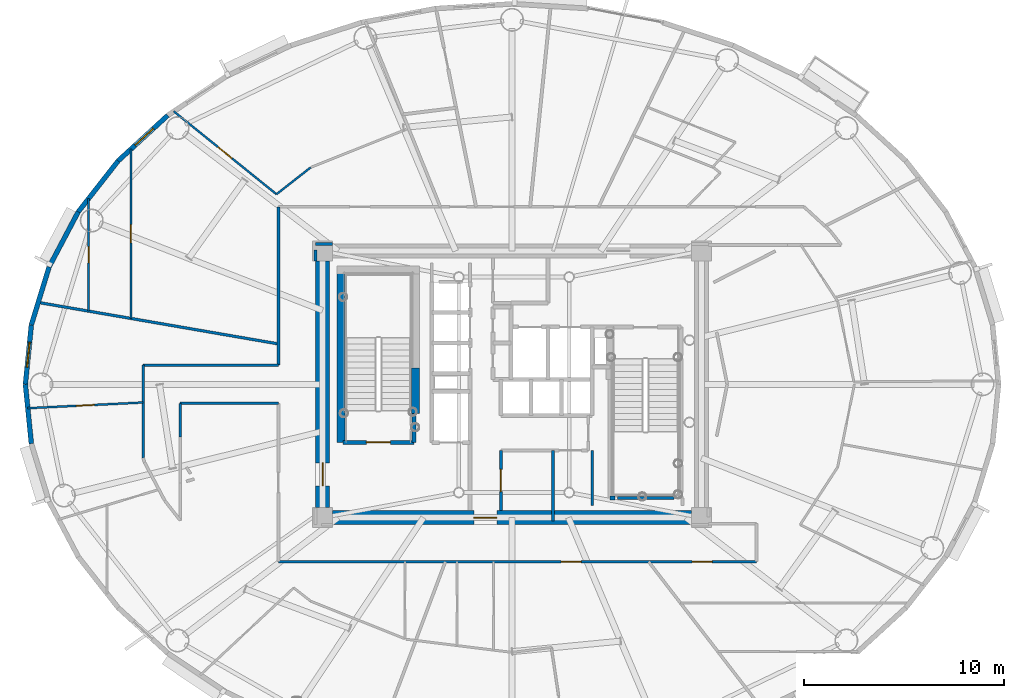
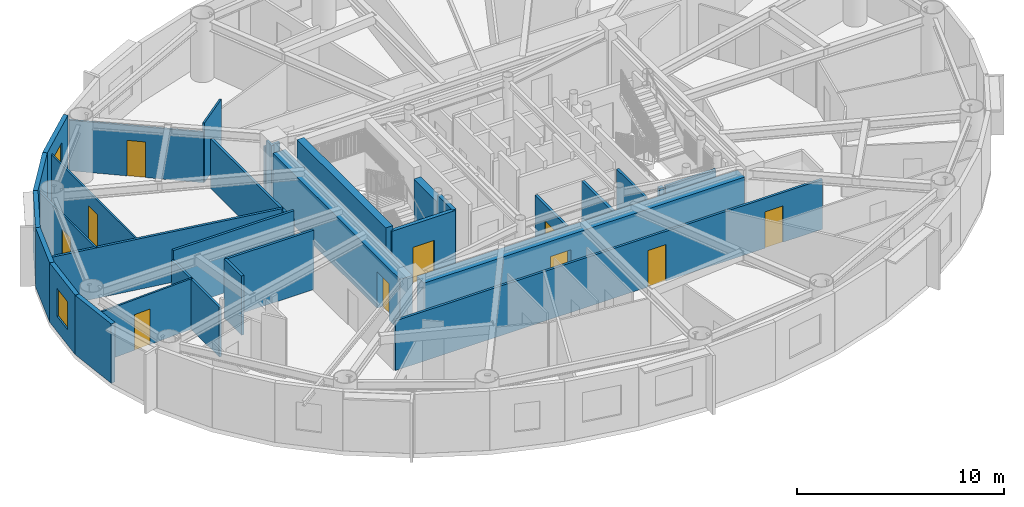
# One storey, part 10 of 21: 31 walls, 10 doors, 2 windows, 12 openings.
"""IFC4 building model written with IfcOpenShell, lengths in metres."""

from ifc_helpers import new_model, si_unit, direction, frame, frame_2d, origin, origin_2d, place, context, subcontext, project, spatial, rectangle, extrude, source, transform, mapped, material, layer, layer_set, type_object, element, fill, save


model = new_model("IFC4")

# Units and contexts
model_context = context("Model", 3, precision=1e-05, world=origin(), true_north=direction((0.0, 1.0)))
body_context = subcontext(model_context, "Body", "Model", "MODEL_VIEW")
ifc_project = project(units=[si_unit("LENGTHUNIT", "METRE"), si_unit("AREAUNIT", "SQUARE_METRE"), si_unit("VOLUMEUNIT", "CUBIC_METRE"), si_unit("PLANEANGLEUNIT", "RADIAN"), si_unit("MASSUNIT", "GRAM", prefix="KILO")], contexts=[model_context])

# Site, building, storey
site_placement = place(None, origin())
site = spatial("IfcSite", under=ifc_project, at=site_placement, CompositionType="ELEMENT")
building_placement = place(site_placement, origin())
building = spatial("IfcBuilding", under=site, at=building_placement, Name="Linh Dai School and Residence Tower", CompositionType="ELEMENT")
storey_placement = place(building_placement, frame((0.0, 0.0, 229.050048828125)))
storey = spatial("IfcBuildingStorey", under=building, at=storey_placement, Name="L56", CompositionType="ELEMENT", Elevation=229.050048828125)

# Wall, opening, window
ifc_material_1 = material(Name="Precast Concrete B45 (C35/45)", Category="concrete")
ifc_layer_1 = layer(ifc_material_1, 0.239990234375)
ifc_layer_set_1 = layer_set([ifc_layer_1], Name="Precast Concrete B45 (C35/45)")
wall_type_1 = type_object("IfcWallType", Name="EW-TC-240", PredefinedType="SOLIDWALL", material=ifc_layer_set_1)
wall_1_placement = place(storey_placement, frame((16.3515625, 38.14453125, 0.0), z_axis=(0.0, 0.0, 1.0), x_axis=(0.737123922599, 0.675757591694, 0.0)))
wall_1 = element("IfcWall", 1, at=wall_1_placement, inside=storey, type_object=wall_type_1, Name="L56 Terracotta Exterior Wall 16", PredefinedType="SOLIDWALL", context=body_context, shape_type="SweptSolid", body=[
    extrude(rectangle(XDim=3.353759765625, YDim=0.239990234375, at=frame_2d((1.6767578125, 0.0))), origin(), (0.0, 0.0, 1.0), 3.5),
])
opening_1_placement = place(wall_1_placement, frame((1.143798828125, 0.0, 0.89990234375)))
opening_1 = element("IfcOpeningElement", 2, at=opening_1_placement, cuts=wall_1, Name="Opening W3", PredefinedType="OPENING", context=body_context, shape_type="SweptSolid", body=[
    extrude(rectangle(XDim=1.25, YDim=1.64990234375, at=origin_2d()), frame((0.625, 0.1298828125, 0.824951171875), z_axis=(0.0, -1.0, 0.0), x_axis=(1.0, 0.0, 0.0)), (0.0, 0.0, 1.0), 0.260009765625),
])
ifc_material_2 = material(Name="Double Low-E Insulated Glazing", Category="glass")
window_type = type_object("IfcWindowType", Name="WN-RES-1250x1650", PartitioningType="SINGLE_PANEL", PredefinedType="WINDOW", material=ifc_material_2)
shared_shape_1 = source(origin(), body_context, "Body", "SweptSolid", [
    extrude(rectangle(XDim=1.25, YDim=1.64990234375, at=origin_2d()), frame((0.625, 0.030029296875, 0.824951171875), z_axis=(0.0, -1.0, 0.0), x_axis=(1.0, 0.0, 0.0)), (0.0, 0.0, 1.0), 0.06005859375),
])
window_1_placement = place(opening_1_placement, origin())
window_1 = element("IfcWindow", 3, at=window_1_placement, inside=storey, type_object=window_type, Name="L56 Dwelling Window U5601-LIV", OverallHeight=1.64990234375, OverallWidth=1.25, PartitioningType="SINGLE_PANEL", PredefinedType="WINDOW", context=body_context, shape_type="MappedRepresentation", body=[
    mapped(shared_shape_1, transform((0.0, 0.0, 0.0), x_axis=(1.0, 0.0, 0.0), y_axis=(0.0, 1.0, 0.0), z_axis=(0.0, 0.0, 1.0), scale=1.0)),
])
fill(opening_1, window_1)

# Walls
wall_2_placement = place(storey_placement, frame((14.3642578125, 35.605224609375, 0.0), z_axis=(0.0, 0.0, 1.0), x_axis=(0.616312344705, 0.787501805562, 0.0)))
element("IfcWall", 4, at=wall_2_placement, inside=storey, type_object=wall_type_1, Name="L56 Terracotta Exterior Wall 17", PredefinedType="SOLIDWALL", context=body_context, shape_type="SweptSolid", body=[
    extrude(rectangle(XDim=3.224609375, YDim=0.239990234375, at=frame_2d((1.6123046875, 0.0))), origin(), (0.0, 0.0, 1.0), 3.5),
])
wall_3_placement = place(storey_placement, frame((12.90966796875, 32.85595703125, 0.0), z_axis=(0.0, 0.0, 1.0), x_axis=(0.46766049993, 0.883908172157, 0.0)))
element("IfcWall", 5, at=wall_3_placement, inside=storey, type_object=wall_type_1, Name="L56 Terracotta Exterior Wall 18", PredefinedType="SOLIDWALL", context=body_context, shape_type="SweptSolid", body=[
    extrude(rectangle(XDim=3.1103515625, YDim=0.239990234375, at=frame_2d((1.55517578125, 0.0))), origin(), (0.0, 0.0, 1.0), 3.5),
])
wall_4_placement = place(storey_placement, frame((12.02294921875, 29.9638671875, 0.0), z_axis=(0.0, 0.0, 1.0), x_axis=(0.293132907334, 0.95607170162, 0.0)))
element("IfcWall", 6, at=wall_4_placement, inside=storey, type_object=wall_type_1, Name="L56 Terracotta Exterior Wall 19", PredefinedType="SOLIDWALL", context=body_context, shape_type="SweptSolid", body=[
    extrude(rectangle(XDim=3.02490234375, YDim=0.239990234375, at=frame_2d((1.512451171875, 0.0))), origin(), (0.0, 0.0, 1.0), 3.5),
])

# Wall, opening, window
wall_5_placement = place(storey_placement, frame((11.72509765625, 27.0, 0.0), z_axis=(0.0, 0.0, 1.0), x_axis=(0.099990595253, 0.994988382274, 0.0)))
wall_5 = element("IfcWall", 7, at=wall_5_placement, inside=storey, type_object=wall_type_1, Name="L56 Terracotta Exterior Wall 20", PredefinedType="SOLIDWALL", context=body_context, shape_type="SweptSolid", body=[
    extrude(rectangle(XDim=2.978759765625, YDim=0.239990234375, at=frame_2d((1.4892578125, 0.0))), origin(), (0.0, 0.0, 1.0), 3.5),
])
opening_2_placement = place(wall_5_placement, frame((0.864501953125, 0.0, 0.89990234375)))
opening_2 = element("IfcOpeningElement", 8, at=opening_2_placement, cuts=wall_5, Name="Opening W3", PredefinedType="OPENING", context=body_context, shape_type="SweptSolid", body=[
    extrude(rectangle(XDim=1.25, YDim=1.64990234375, at=origin_2d()), frame((0.625, 0.1298828125, 0.824951171875), z_axis=(0.0, -1.0, 0.0), x_axis=(1.0, 0.0, 0.0)), (0.0, 0.0, 1.0), 0.260009765625),
])
window_2_placement = place(opening_2_placement, origin())
window_2 = element("IfcWindow", 9, at=window_2_placement, inside=storey, type_object=window_type, Name="L56 Dwelling Window U5602-BD1", OverallHeight=1.64990234375, OverallWidth=1.25, PartitioningType="SINGLE_PANEL", PredefinedType="WINDOW", context=body_context, shape_type="MappedRepresentation", body=[
    mapped(shared_shape_1, transform((0.0, 0.0, 0.0), x_axis=(1.0, 0.0, 0.0), y_axis=(0.0, 1.0, 0.0), z_axis=(0.0, 0.0, 1.0), scale=1.0)),
])
fill(opening_2, window_2)

# Walls
wall_6_placement = place(storey_placement, frame((12.02294921875, 24.0361328125, 0.0), z_axis=(0.0, 0.0, 1.0), x_axis=(-0.099990595253, 0.994988382274, 0.0)))
element("IfcWall", 10, at=wall_6_placement, inside=storey, type_object=wall_type_1, Name="L56 Terracotta Exterior Wall 21", PredefinedType="SOLIDWALL", context=body_context, shape_type="SweptSolid", body=[
    extrude(rectangle(XDim=2.978759765625, YDim=0.239990234375, at=frame_2d((1.4892578125, 0.0))), origin(), (0.0, 0.0, 1.0), 3.5),
])
ifc_material_3 = material(Name="Autoclaved Aerated Concrete Blockwork", Category="masonry")
ifc_layer_2 = layer(ifc_material_3, 0.135009765625)
ifc_layer_set_2 = layer_set([ifc_layer_2], Name="Autoclaved Aerated Concrete Blockwork")
wall_type_2 = type_object("IfcWallType", Name="IW-CORR-135-EI90", PredefinedType="PARTITIONING", material=ifc_layer_set_2)
wall_7_placement = place(storey_placement, frame((12.361328125, 31.08447265625, 0.0), z_axis=(0.0, 0.0, 1.0), x_axis=(0.98539748391, -0.17026978212, 0.0)))
element("IfcWall", 11, at=wall_7_placement, inside=storey, type_object=wall_type_2, Name="L56 Interior Partition Wall 002", PredefinedType="PARTITIONING", context=body_context, shape_type="SweptSolid", body=[
    extrude(rectangle(XDim=12.166259765625, YDim=0.135009765625, at=frame_2d((6.0830078125, 0.0))), origin(), (0.0, 0.0, 1.0), 2.98486328125),
])
wall_8_placement = place(storey_placement, frame((17.60009765625, 23.327880859375, 0.0), z_axis=(0.0, 0.0, 1.0), x_axis=(0.0, 1.0, 0.0)))
element("IfcWall", 12, at=wall_8_placement, inside=storey, type_object=wall_type_2, Name="L56 Interior Partition Wall 007", PredefinedType="PARTITIONING", context=body_context, shape_type="SweptSolid", body=[
    extrude(rectangle(XDim=4.6220703125, YDim=0.135009765625, at=frame_2d((2.31103515625, 0.0))), origin(), (0.0, 0.0, 1.0), 2.93505859375),
])
wall_9_placement = place(storey_placement, frame((17.60009765625, 27.949951171875, 0.0), z_axis=(0.0, 0.0, 1.0), x_axis=(1.0, 0.0, 0.0)))
element("IfcWall", 13, at=wall_9_placement, inside=storey, type_object=wall_type_2, Name="L56 Interior Partition Wall 009", PredefinedType="PARTITIONING", context=body_context, shape_type="SweptSolid", body=[
    extrude(rectangle(XDim=6.75, YDim=0.135009765625, at=frame_2d((3.375, 0.0))), origin(), (0.0, 0.0, 1.0), 3.5),
])
wall_10_placement = place(storey_placement, frame((19.449951171875, 24.3798828125, 0.0), z_axis=(0.0, 0.0, 1.0), x_axis=(0.0, 1.0, 0.0)))
element("IfcWall", 14, at=wall_10_placement, inside=storey, type_object=wall_type_2, Name="L56 Interior Partition Wall 014", PredefinedType="PARTITIONING", context=body_context, shape_type="SweptSolid", body=[
    extrude(rectangle(XDim=1.670166015625, YDim=0.135009765625, at=frame_2d((0.8349609375, 0.0))), origin(), (0.0, 0.0, 1.0), 3.5),
])
wall_11_placement = place(storey_placement, frame((19.449951171875, 26.050048828125, 0.0), z_axis=(0.0, 0.0, 1.0), x_axis=(1.0, 0.0, 0.0)))
element("IfcWall", 15, at=wall_11_placement, inside=storey, type_object=wall_type_2, Name="L56 Interior Partition Wall 015", PredefinedType="PARTITIONING", context=body_context, shape_type="SweptSolid", body=[
    extrude(rectangle(XDim=4.900146484375, YDim=0.135009765625, at=frame_2d((2.4501953125, 0.0))), origin(), (0.0, 0.0, 1.0), 3.5),
])

# Wall, openings, doors
wall_12_placement = place(storey_placement, frame((24.35009765625, 18.14990234375, 0.0), z_axis=(0.0, 0.0, 1.0), x_axis=(1.0, 0.0, 0.0)))
wall_12 = element("IfcWall", 16, at=wall_12_placement, inside=storey, type_object=wall_type_2, Name="L56 Interior Partition Wall 019", PredefinedType="PARTITIONING", context=body_context, shape_type="SweptSolid", body=[
    extrude(rectangle(XDim=23.849853515625, YDim=0.135009765625, at=frame_2d((11.9248046875, 0.0))), origin(), (0.0, 0.0, 1.0), 2.93505859375),
])
opening_3_placement = place(wall_12_placement, frame((14.09912109375, 0.0, 0.0)))
opening_3 = element("IfcOpeningElement", 17, at=opening_3_placement, cuts=wall_12, Name="Opening D03", PredefinedType="OPENING", context=body_context, shape_type="SweptSolid", body=[
    extrude(rectangle(XDim=1.0, YDim=2.14990234375, at=origin_2d()), frame((0.5, 0.07763671875, 1.074951171875), z_axis=(0.0, -1.0, 0.0), x_axis=(1.0, 0.0, 0.0)), (0.0, 0.0, 1.0), 0.155029296875),
])
opening_4_placement = place(wall_12_placement, frame((20.638427734375, 0.0, 0.0)))
opening_4 = element("IfcOpeningElement", 18, at=opening_4_placement, cuts=wall_12, Name="Opening D03", PredefinedType="OPENING", context=body_context, shape_type="SweptSolid", body=[
    extrude(rectangle(XDim=1.0, YDim=2.14990234375, at=origin_2d()), frame((0.5, 0.07763671875, 1.074951171875), z_axis=(0.0, -1.0, 0.0), x_axis=(1.0, 0.0, 0.0)), (0.0, 0.0, 1.0), 0.155029296875),
])
ifc_material_4 = material(Name="Fire-Rated Solid Timber Entrance Door", Category="wood")
door_type_1 = type_object("IfcDoorType", Name="DR-FLAT-1000x2150-FD60S", OperationType="NOTDEFINED", PredefinedType="DOOR", material=ifc_material_4)
shared_shape_2 = source(origin(), body_context, "Body", "SweptSolid", [
    extrude(rectangle(XDim=1.0, YDim=2.14990234375, at=origin_2d()), frame((0.5, 0.02490234375, 1.074951171875), z_axis=(0.0, -1.0, 0.0), x_axis=(1.0, 0.0, 0.0)), (0.0, 0.0, 1.0), 0.050048828125),
])
door_1_placement = place(opening_3_placement, origin())
door_1 = element("IfcDoor", 19, at=door_1_placement, inside=storey, type_object=door_type_1, Name="L56 U5603 Apartment Entrance Door", OperationType="SINGLE_SWING_LEFT", OverallHeight=2.14990234375, OverallWidth=1.0, PredefinedType="DOOR", context=body_context, shape_type="MappedRepresentation", body=[
    mapped(shared_shape_2, transform((0.0, 0.0, 0.0), x_axis=(1.0, 0.0, 0.0), y_axis=(0.0, 1.0, 0.0), z_axis=(0.0, 0.0, 1.0), scale=1.0)),
])
fill(opening_3, door_1)
door_2_placement = place(opening_4_placement, origin())
door_2 = element("IfcDoor", 20, at=door_2_placement, inside=storey, type_object=door_type_1, Name="L56 U5604 Apartment Entrance Door", OperationType="SINGLE_SWING_LEFT", OverallHeight=2.14990234375, OverallWidth=1.0, PredefinedType="DOOR", context=body_context, shape_type="MappedRepresentation", body=[
    mapped(shared_shape_2, transform((0.0, 0.0, 0.0), x_axis=(1.0, 0.0, 0.0), y_axis=(0.0, 1.0, 0.0), z_axis=(0.0, 0.0, 1.0), scale=1.0)),
])
fill(opening_4, door_2)

# Wall
wall_13_placement = place(storey_placement, frame((24.35009765625, 27.949951171875, 0.0), z_axis=(0.0, 0.0, 1.0), x_axis=(0.0, 1.0, 0.0)))
element("IfcWall", 21, at=wall_13_placement, inside=storey, type_object=wall_type_2, Name="L56 Interior Partition Wall 020", PredefinedType="PARTITIONING", context=body_context, shape_type="SweptSolid", body=[
    extrude(rectangle(XDim=7.900146484375, YDim=0.135009765625, at=frame_2d((3.9501953125, 0.0))), origin(), (0.0, 0.0, 1.0), 2.93505859375),
])

# Wall, opening, door
wall_14_placement = place(storey_placement, frame((35.449951171875, 20.699951171875, 0.0), z_axis=(0.0, 0.0, 1.0), x_axis=(0.0, 1.0, 0.0)))
wall_14 = element("IfcWall", 22, at=wall_14_placement, inside=storey, type_object=wall_type_2, Name="L56 Interior Partition Wall 048", PredefinedType="PARTITIONING", context=body_context, shape_type="SweptSolid", body=[
    extrude(rectangle(XDim=3.0, YDim=0.135009765625, at=frame_2d((1.5, 0.0))), origin(), (0.0, 0.0, 1.0), 3.0849609375),
])
opening_5_placement = place(wall_14_placement, frame((0.949951171875, 0.0, 0.0)))
opening_5 = element("IfcOpeningElement", 23, at=opening_5_placement, cuts=wall_14, Name="Opening D07", PredefinedType="OPENING", context=body_context, shape_type="SweptSolid", body=[
    extrude(rectangle(XDim=1.10009765625, YDim=2.14990234375, at=origin_2d()), frame((0.550048828125, 0.07763671875, 1.074951171875), z_axis=(0.0, -1.0, 0.0), x_axis=(1.0, 0.0, 0.0)), (0.0, 0.0, 1.0), 0.155029296875),
])
ifc_material_5 = material(Name="Fire-Rated Louvred Steel Plant Door", Category="steel")
door_type_2 = type_object("IfcDoorType", Name="DR-PLT-1100x2150-FD60S", OperationType="NOTDEFINED", PredefinedType="DOOR", material=ifc_material_5)
shared_shape_3 = source(origin(), body_context, "Body", "SweptSolid", [
    extrude(rectangle(XDim=1.10009765625, YDim=2.14990234375, at=origin_2d()), frame((0.550048828125, 0.02490234375, 1.074951171875), z_axis=(0.0, -1.0, 0.0), x_axis=(1.0, 0.0, 0.0)), (0.0, 0.0, 1.0), 0.050048828125),
])
door_3_placement = place(opening_5_placement, origin())
door_3 = element("IfcDoor", 24, at=door_3_placement, inside=storey, type_object=door_type_2, Name="L56 Floor Electrical Switchroom Door", OperationType="SINGLE_SWING_LEFT", OverallHeight=2.14990234375, OverallWidth=1.10009765625, PredefinedType="DOOR", context=body_context, shape_type="MappedRepresentation", body=[
    mapped(shared_shape_3, transform((0.0, 0.0, 0.0), x_axis=(1.0, 0.0, 0.0), y_axis=(0.0, 1.0, 0.0), z_axis=(0.0, 0.0, 1.0), scale=1.0)),
])
fill(opening_5, door_3)

# Walls
wall_15_placement = place(storey_placement, frame((44.080078125, 21.330078125, 0.0), z_axis=(0.0, 0.0, 1.0), x_axis=(-1.0, 0.0, 0.0)))
element("IfcWall", 25, at=wall_15_placement, inside=storey, type_object=wall_type_2, Name="L56 Interior Partition Wall 093", PredefinedType="PARTITIONING", context=body_context, shape_type="SweptSolid", body=[
    extrude(rectangle(XDim=2.820068359375, YDim=0.135009765625, at=frame_2d((1.41015625, 0.0))), origin(), (0.0, 0.0, 1.0), 3.034912109375),
])
wall_16_placement = place(storey_placement, frame((40.0, 23.699951171875, 0.0), z_axis=(0.0, 0.0, 1.0), x_axis=(0.0, -1.0, 0.0)))
element("IfcWall", 26, at=wall_16_placement, inside=storey, type_object=wall_type_2, Name="L56 Interior Partition Wall 095", PredefinedType="PARTITIONING", context=body_context, shape_type="SweptSolid", body=[
    extrude(rectangle(XDim=2.739990234375, YDim=0.135009765625, at=frame_2d((1.3701171875, 0.0))), origin(), (0.0, 0.0, 1.0), 3.034912109375),
])
wall_17_placement = place(storey_placement, frame((27.0400390625, 34.0, 0.0), z_axis=(0.0, 0.0, 1.0), x_axis=(-1.0, 0.0, 0.0)))
element("IfcWall", 27, at=wall_17_placement, inside=storey, type_object=wall_type_2, Name="L56 Interior Partition Wall 102", PredefinedType="PARTITIONING", context=body_context, shape_type="SweptSolid", body=[
    extrude(rectangle(XDim=0.840087890625, YDim=0.135009765625, at=frame_2d((0.419921875, 0.0))), origin(), (0.0, 0.0, 1.0), 2.93505859375),
])
wall_18_placement = place(storey_placement, frame((26.199951171875, 33.6923828125, 0.0), z_axis=(0.0, 0.0, 1.0), x_axis=(0.0, -1.0, 0.0)))
element("IfcWall", 28, at=wall_18_placement, inside=storey, type_object=wall_type_2, Name="L56 Interior Partition Wall 103", PredefinedType="PARTITIONING", context=body_context, shape_type="SweptSolid", body=[
    extrude(rectangle(XDim=0.532470703125, YDim=0.135009765625, at=frame_2d((0.26611328125, 0.0))), origin(), (0.0, 0.0, 1.0), 3.5),
])
ifc_layer_3 = layer(ifc_material_3, 0.14990234375)
ifc_layer_set_3 = layer_set([ifc_layer_3], Name="Autoclaved Aerated Concrete Blockwork")
wall_type_3 = type_object("IfcWallType", Name="IW-SCH-150-EI60", PredefinedType="PARTITIONING", material=ifc_layer_set_3)
wall_19_placement = place(storey_placement, frame((38.050048828125, 20.179931640625, 0.0), z_axis=(0.0, 0.0, 1.0), x_axis=(0.0, 1.0, 0.0)))
element("IfcWall", 29, at=wall_19_placement, inside=storey, type_object=wall_type_3, Name="L56 Interior Partition Wall 061", PredefinedType="PARTITIONING", context=body_context, shape_type="SweptSolid", body=[
    extrude(rectangle(XDim=3.52001953125, YDim=0.14990234375, at=frame_2d((1.760009765625, 0.0))), origin(), (0.0, 0.0, 1.0), 3.034912109375),
])

# Wall, opening, door
ifc_material_6 = material(Name="Concrete B45 (C35/45)", Category="concrete")
ifc_layer_4 = layer(ifc_material_6, 0.199951171875)
ifc_layer_set_4 = layer_set([ifc_layer_4], Name="Concrete B45 (C35/45)")
wall_type_4 = type_object("IfcWallType", Name="IW-SHAFT-200-EI120", PredefinedType="PARTITIONING", material=ifc_layer_set_4)
wall_20_placement = place(storey_placement, frame((27.56005859375, 24.10009765625, 0.0), z_axis=(0.0, 0.0, 1.0), x_axis=(1.0, 0.0, 0.0)))
wall_20 = element("IfcWall", 30, at=wall_20_placement, inside=storey, type_object=wall_type_4, Name="L56 Interior Partition Wall 025", PredefinedType="PARTITIONING", context=body_context, shape_type="SweptSolid", body=[
    extrude(rectangle(XDim=3.5400390625, YDim=0.199951171875, at=frame_2d((1.77001953125, 0.0))), origin(), (0.0, 0.0, 1.0), 3.5),
])
opening_6_placement = place(wall_20_placement, frame((1.169921875, 0.0, 0.0)))
opening_6 = element("IfcOpeningElement", 31, at=opening_6_placement, cuts=wall_20, Name="Opening D01", PredefinedType="OPENING", context=body_context, shape_type="SweptSolid", body=[
    extrude(rectangle(XDim=1.199951171875, YDim=2.14990234375, at=origin_2d()), frame((0.60009765625, 0.10986328125, 1.074951171875), z_axis=(0.0, -1.0, 0.0), x_axis=(1.0, 0.0, 0.0)), (0.0, 0.0, 1.0), 0.219970703125),
])
ifc_material_7 = material(Name="Fire-Rated Steel Door Leaf", Category="steel")
door_type_3 = type_object("IfcDoorType", Name="DR-STAIR-1200x2150-FD90S", OperationType="NOTDEFINED", PredefinedType="DOOR", material=ifc_material_7)
shared_shape_4 = source(origin(), body_context, "Body", "SweptSolid", [
    extrude(rectangle(XDim=1.199951171875, YDim=2.14990234375, at=origin_2d()), frame((0.60009765625, 0.02490234375, 1.074951171875), z_axis=(0.0, -1.0, 0.0), x_axis=(1.0, 0.0, 0.0)), (0.0, 0.0, 1.0), 0.050048828125),
])
door_4_placement = place(opening_6_placement, origin())
door_4 = element("IfcDoor", 32, at=door_4_placement, inside=storey, type_object=door_type_3, Name="L56 Core Smokeproof Exit Stair ST1 Door", OperationType="SINGLE_SWING_LEFT", OverallHeight=2.14990234375, OverallWidth=1.199951171875, PredefinedType="DOOR", context=body_context, shape_type="MappedRepresentation", body=[
    mapped(shared_shape_4, transform((0.0, 0.0, 0.0), x_axis=(1.0, 0.0, 0.0), y_axis=(0.0, 1.0, 0.0), z_axis=(0.0, 0.0, 1.0), scale=1.0)),
])
fill(opening_6, door_4)

# Walls
wall_21_placement = place(storey_placement, frame((31.10009765625, 24.10009765625, 0.0), z_axis=(0.0, 0.0, 1.0), x_axis=(0.0, 1.0, 0.0)))
element("IfcWall", 33, at=wall_21_placement, inside=storey, type_object=wall_type_4, Name="L56 Interior Partition Wall 031", PredefinedType="PARTITIONING", context=body_context, shape_type="SweptSolid", body=[
    extrude(rectangle(XDim=1.43994140625, YDim=0.199951171875, at=frame_2d((0.719970703125, 0.0))), origin(), (0.0, 0.0, 1.0), 3.5),
])
wall_22_placement = place(storey_placement, frame((40.89990234375, 21.330078125, 0.0), z_axis=(0.0, 0.0, 1.0), x_axis=(1.0, 0.0, 0.0)))
element("IfcWall", 34, at=wall_22_placement, inside=storey, type_object=wall_type_4, Name="L56 Interior Partition Wall 068", PredefinedType="PARTITIONING", context=body_context, shape_type="SweptSolid", body=[
    extrude(rectangle(XDim=0.25, YDim=0.199951171875, at=frame_2d((0.125, 0.0))), origin(), (0.0, 0.0, 1.0), 3.034912109375),
])

# Wall, opening, door
ifc_material_8 = material(Name="Gypsum Plasterboard Acoustic Stud Partition", Category="masonry")
ifc_layer_5 = layer(ifc_material_8, 0.10009765625)
ifc_layer_set_5 = layer_set([ifc_layer_5], Name="Gypsum Plasterboard Acoustic Stud Partition")
wall_type_5 = type_object("IfcWallType", Name="IW-UNIT-100", PredefinedType="PARTITIONING", material=ifc_layer_set_5)
wall_23_placement = place(storey_placement, frame((11.83984375, 25.806640625, 0.0), z_axis=(0.0, 0.0, 1.0), x_axis=(0.99878109644, 0.049359106487, 0.0)))
wall_23 = element("IfcWall", 35, at=wall_23_placement, inside=storey, type_object=wall_type_5, Name="L56 Interior Partition Wall 001", PredefinedType="PARTITIONING", context=body_context, shape_type="SweptSolid", body=[
    extrude(rectangle(XDim=5.767333984375, YDim=0.10009765625, at=frame_2d((2.8837890625, 0.0))), origin(), (0.0, 0.0, 1.0), 2.98486328125),
])
opening_7_placement = place(wall_23_placement, frame((2.43359375, 0.0, 0.0)))
opening_7 = element("IfcOpeningElement", 36, at=opening_7_placement, cuts=wall_23, Name="Opening D05", PredefinedType="OPENING", context=body_context, shape_type="SweptSolid", body=[
    extrude(rectangle(XDim=0.89990234375, YDim=2.10009765625, at=origin_2d()), frame((0.449951171875, 0.06005859375, 1.050048828125), z_axis=(0.0, -1.0, 0.0), x_axis=(1.0, 0.0, 0.0)), (0.0, 0.0, 1.0), 0.1201171875),
])
ifc_material_9 = material(Name="Engineered Timber Internal Door", Category="wood")
door_type_4 = type_object("IfcDoorType", Name="DR-INT-900x2100", OperationType="NOTDEFINED", PredefinedType="DOOR", material=ifc_material_9)
shared_shape_5 = source(origin(), body_context, "Body", "SweptSolid", [
    extrude(rectangle(XDim=0.89990234375, YDim=2.10009765625, at=origin_2d()), frame((0.449951171875, 0.02490234375, 1.050048828125), z_axis=(0.0, -1.0, 0.0), x_axis=(1.0, 0.0, 0.0)), (0.0, 0.0, 1.0), 0.050048828125),
])
door_5_placement = place(opening_7_placement, origin())
door_5 = element("IfcDoor", 37, at=door_5_placement, inside=storey, type_object=door_type_4, Name="L56 Apartment U5602 Principal Bedroom 1 Door", OperationType="SINGLE_SWING_RIGHT", OverallHeight=2.10009765625, OverallWidth=0.89990234375, PredefinedType="DOOR", context=body_context, shape_type="MappedRepresentation", body=[
    mapped(shared_shape_5, transform((0.0, 0.0, 0.0), x_axis=(1.0, 0.0, 0.0), y_axis=(0.0, 1.0, 0.0), z_axis=(0.0, 0.0, 1.0), scale=1.0)),
])
fill(opening_7, door_5)

wall_24_placement = place(storey_placement, frame((14.882080078125, 30.64892578125, 0.0), z_axis=(0.0, 0.0, 1.0), x_axis=(0.0, 1.0, 0.0)))
wall_24 = element("IfcWall", 38, at=wall_24_placement, inside=storey, type_object=wall_type_5, Name="L56 Interior Partition Wall 004", PredefinedType="PARTITIONING", context=body_context, shape_type="SweptSolid", body=[
    extrude(rectangle(XDim=5.6259765625, YDim=0.10009765625, at=frame_2d((2.81298828125, 0.0))), origin(), (0.0, 0.0, 1.0), 2.98486328125),
])
opening_8_placement = place(wall_24_placement, frame((2.403076171875, 0.0, 0.0)))
opening_8 = element("IfcOpeningElement", 39, at=opening_8_placement, cuts=wall_24, Name="Opening D06", PredefinedType="OPENING", context=body_context, shape_type="SweptSolid", body=[
    extrude(rectangle(XDim=0.820068359375, YDim=2.10009765625, at=origin_2d()), frame((0.41015625, 0.06005859375, 1.050048828125), z_axis=(0.0, -1.0, 0.0), x_axis=(1.0, 0.0, 0.0)), (0.0, 0.0, 1.0), 0.1201171875),
])
ifc_material_10 = material(Name="Moisture-Resistant Timber Bathroom Door", Category="wood")
door_type_5 = type_object("IfcDoorType", Name="DR-WET-820x2100", OperationType="NOTDEFINED", PredefinedType="DOOR", material=ifc_material_10)
shared_shape_6 = source(origin(), body_context, "Body", "SweptSolid", [
    extrude(rectangle(XDim=0.820068359375, YDim=2.10009765625, at=origin_2d()), frame((0.41015625, 0.02490234375, 1.050048828125), z_axis=(0.0, -1.0, 0.0), x_axis=(1.0, 0.0, 0.0)), (0.0, 0.0, 1.0), 0.050048828125),
])
door_6_placement = place(opening_8_placement, origin())
door_6 = element("IfcDoor", 40, at=door_6_placement, inside=storey, type_object=door_type_5, Name="L56 Apartment U5601 Bathroom 1 Door", OperationType="SINGLE_SWING_RIGHT", OverallHeight=2.10009765625, OverallWidth=0.820068359375, PredefinedType="DOOR", context=body_context, shape_type="MappedRepresentation", body=[
    mapped(shared_shape_6, transform((0.0, 0.0, 0.0), x_axis=(1.0, 0.0, 0.0), y_axis=(0.0, 1.0, 0.0), z_axis=(0.0, 0.0, 1.0), scale=1.0)),
])
fill(opening_8, door_6)

wall_25_placement = place(storey_placement, frame((16.987060546875, 30.28515625, 0.0), z_axis=(0.0, 0.0, 1.0), x_axis=(0.0, 1.0, 0.0)))
wall_25 = element("IfcWall", 41, at=wall_25_placement, inside=storey, type_object=wall_type_5, Name="L56 Interior Partition Wall 006", PredefinedType="PARTITIONING", context=body_context, shape_type="SweptSolid", body=[
    extrude(rectangle(XDim=8.44873046875, YDim=0.10009765625, at=frame_2d((4.224365234375, 0.0))), origin(), (0.0, 0.0, 1.0), 2.93505859375),
])
opening_9_placement = place(wall_25_placement, frame((3.7744140625, 0.0, 0.0)))
opening_9 = element("IfcOpeningElement", 42, at=opening_9_placement, cuts=wall_25, Name="Opening D05", PredefinedType="OPENING", context=body_context, shape_type="SweptSolid", body=[
    extrude(rectangle(XDim=0.89990234375, YDim=2.10009765625, at=origin_2d()), frame((0.449951171875, 0.06005859375, 1.050048828125), z_axis=(0.0, -1.0, 0.0), x_axis=(1.0, 0.0, 0.0)), (0.0, 0.0, 1.0), 0.1201171875),
])
door_7_placement = place(opening_9_placement, origin())
door_7 = element("IfcDoor", 43, at=door_7_placement, inside=storey, type_object=door_type_4, Name="L56 Apartment U5601 Kitchen Door", OperationType="SINGLE_SWING_LEFT", OverallHeight=2.10009765625, OverallWidth=0.89990234375, PredefinedType="DOOR", context=body_context, shape_type="MappedRepresentation", body=[
    mapped(shared_shape_5, transform((0.0, 0.0, 0.0), x_axis=(1.0, 0.0, 0.0), y_axis=(0.0, 1.0, 0.0), z_axis=(0.0, 0.0, 1.0), scale=1.0)),
])
fill(opening_9, door_7)

wall_26_placement = place(storey_placement, frame((19.124267578125, 40.617919921875, 0.0), z_axis=(0.0, 0.0, 1.0), x_axis=(0.778207956818, -0.62800666871, 0.0)))
wall_26 = element("IfcWall", 44, at=wall_26_placement, inside=storey, type_object=wall_type_5, Name="L56 Interior Partition Wall 012", PredefinedType="PARTITIONING", context=body_context, shape_type="SweptSolid", body=[
    extrude(rectangle(XDim=6.587890625, YDim=0.10009765625, at=frame_2d((3.2939453125, 0.0))), origin(), (0.0, 0.0, 1.0), 2.98486328125),
])
opening_10_placement = place(wall_26_placement, frame((2.843994140625, 0.0, 0.0)))
opening_10 = element("IfcOpeningElement", 45, at=opening_10_placement, cuts=wall_26, Name="Opening D05", PredefinedType="OPENING", context=body_context, shape_type="SweptSolid", body=[
    extrude(rectangle(XDim=0.89990234375, YDim=2.10009765625, at=origin_2d()), frame((0.449951171875, 0.06005859375, 1.050048828125), z_axis=(0.0, -1.0, 0.0), x_axis=(1.0, 0.0, 0.0)), (0.0, 0.0, 1.0), 0.1201171875),
])
door_8_placement = place(opening_10_placement, origin())
door_8 = element("IfcDoor", 46, at=door_8_placement, inside=storey, type_object=door_type_4, Name="L56 Apartment U5601 Principal Bedroom 1 Door", OperationType="SINGLE_SWING_RIGHT", OverallHeight=2.10009765625, OverallWidth=0.89990234375, PredefinedType="DOOR", context=body_context, shape_type="MappedRepresentation", body=[
    mapped(shared_shape_5, transform((0.0, 0.0, 0.0), x_axis=(1.0, 0.0, 0.0), y_axis=(0.0, 1.0, 0.0), z_axis=(0.0, 0.0, 1.0), scale=1.0)),
])
fill(opening_10, door_8)

# Walls
wall_27_placement = place(storey_placement, frame((24.2509765625, 36.480712890625, 0.0), z_axis=(0.0, 0.0, 1.0), x_axis=(0.787374491509, 0.616474987426, 0.0)))
element("IfcWall", 47, at=wall_27_placement, inside=storey, type_object=wall_type_5, Name="L56 Interior Partition Wall 017", PredefinedType="PARTITIONING", context=body_context, shape_type="SweptSolid", body=[
    extrude(rectangle(XDim=2.17138671875, YDim=0.10009765625, at=frame_2d((1.085693359375, 0.0))), origin(), (0.0, 0.0, 1.0), 3.5),
])
ifc_layer_6 = layer(ifc_material_6, 0.39990234375)
ifc_layer_set_6 = layer_set([ifc_layer_6], Name="Concrete B45 (C35/45)")
wall_type_6 = type_object("IfcWallType", Name="WL-CORE400", PredefinedType="SHEAR", material=ifc_layer_set_6)
wall_28_placement = place(storey_placement, frame((27.47998046875, 24.10009765625, 0.0), z_axis=(0.0, 0.0, 1.0), x_axis=(0.0, 1.0, 0.0)))
element("IfcWall", 48, at=wall_28_placement, inside=storey, type_object=wall_type_6, Name="L56 Core Stair ST1 Bearing Wall W", PredefinedType="SHEAR", context=body_context, shape_type="SweptSolid", body=[
    extrude(rectangle(XDim=8.599853515625, YDim=0.39990234375, at=frame_2d((4.2998046875, 0.0))), origin(), (0.0, 0.0, 1.0), 3.75),
])
wall_29_placement = place(storey_placement, frame((31.179931640625, 25.550048828125, 0.0), z_axis=(0.0, 0.0, 1.0), x_axis=(0.0, 1.0, 0.0)))
element("IfcWall", 49, at=wall_29_placement, inside=storey, type_object=wall_type_6, Name="L56 Internal Core Shear Wall IW", PredefinedType="SHEAR", context=body_context, shape_type="SweptSolid", body=[
    extrude(rectangle(XDim=2.25, YDim=0.39990234375, at=frame_2d((1.125, 0.0))), origin(), (0.0, 0.0, 1.0), 3.099853515625),
])

# Wall, opening, door
ifc_layer_7 = layer(ifc_material_6, 0.699951171875)
ifc_layer_set_7 = layer_set([ifc_layer_7], Name="Concrete B45 (C35/45)")
wall_type_7 = type_object("IfcWallType", Name="WL-CORE700", PredefinedType="SHEAR", material=ifc_layer_set_7)
wall_30_placement = place(storey_placement, frame((44.949951171875, 20.35009765625, 0.0), z_axis=(0.0, 0.0, 1.0), x_axis=(-1.0, 0.0, 0.0)))
wall_30 = element("IfcWall", 50, at=wall_30_placement, inside=storey, type_object=wall_type_7, Name="L56 Central Core Shear Wall S", PredefinedType="SHEAR", context=body_context, shape_type="SweptSolid", body=[
    extrude(rectangle(XDim=17.89990234375, YDim=0.699951171875, at=frame_2d((8.949951171875, 0.0))), origin(), (0.0, 0.0, 1.0), 3.050048828125),
])
opening_11_placement = place(wall_30_placement, frame((9.699951171875, 0.0, 0.0)))
opening_11 = element("IfcOpeningElement", 51, at=opening_11_placement, cuts=wall_30, Name="Opening D02", PredefinedType="OPENING", context=body_context, shape_type="SweptSolid", body=[
    extrude(rectangle(XDim=1.14990234375, YDim=2.14990234375, at=origin_2d()), frame((0.574951171875, 0.35986328125, 1.074951171875), z_axis=(0.0, -1.0, 0.0), x_axis=(1.0, 0.0, 0.0)), (0.0, 0.0, 1.0), 0.719970703125),
])
ifc_material_11 = material(Name="Fire-Rated Glazed Steel Lobby Door", Category="steel")
door_type_6 = type_object("IfcDoorType", Name="DR-LOBBY-1150x2150-FD90S", OperationType="NOTDEFINED", PredefinedType="DOOR", material=ifc_material_11)
shared_shape_7 = source(origin(), body_context, "Body", "SweptSolid", [
    extrude(rectangle(XDim=1.14990234375, YDim=2.14990234375, at=origin_2d()), frame((0.574951171875, 0.02490234375, 1.074951171875), z_axis=(0.0, -1.0, 0.0), x_axis=(1.0, 0.0, 0.0)), (0.0, 0.0, 1.0), 0.050048828125),
])
door_9_placement = place(opening_11_placement, origin())
door_9 = element("IfcDoor", 52, at=door_9_placement, inside=storey, type_object=door_type_6, Name="L56 Passenger Foyer Access Door", OperationType="SINGLE_SWING_RIGHT", OverallHeight=2.14990234375, OverallWidth=1.14990234375, PredefinedType="DOOR", context=body_context, shape_type="MappedRepresentation", body=[
    mapped(shared_shape_7, transform((0.0, 0.0, 0.0), x_axis=(1.0, 0.0, 0.0), y_axis=(0.0, 1.0, 0.0), z_axis=(0.0, 0.0, 1.0), scale=1.0)),
])
fill(opening_11, door_9)

wall_31_placement = place(storey_placement, frame((26.550048828125, 20.85009765625, 0.0), z_axis=(0.0, 0.0, 1.0), x_axis=(0.0, 1.0, 0.0)))
wall_31 = element("IfcWall", 53, at=wall_31_placement, inside=storey, type_object=wall_type_7, Name="L56 Central Core Shear Wall W", PredefinedType="SHEAR", context=body_context, shape_type="SweptSolid", body=[
    extrude(rectangle(XDim=12.2998046875, YDim=0.699951171875, at=frame_2d((6.14990234375, 0.0))), origin(), (0.0, 0.0, 1.0), 3.050048828125),
])
opening_12_placement = place(wall_31_placement, frame((1.085205078125, 0.0, 0.0)))
opening_12 = element("IfcOpeningElement", 54, at=opening_12_placement, cuts=wall_31, Name="Opening D02", PredefinedType="OPENING", context=body_context, shape_type="SweptSolid", body=[
    extrude(rectangle(XDim=1.14990234375, YDim=2.14990234375, at=origin_2d()), frame((0.574951171875, 0.35986328125, 1.074951171875), z_axis=(0.0, -1.0, 0.0), x_axis=(1.0, 0.0, 0.0)), (0.0, 0.0, 1.0), 0.719970703125),
])
door_10_placement = place(opening_12_placement, origin())
door_10 = element("IfcDoor", 55, at=door_10_placement, inside=storey, type_object=door_type_6, Name="L56 Firefighting Lobby Door", OperationType="SINGLE_SWING_RIGHT", OverallHeight=2.14990234375, OverallWidth=1.14990234375, PredefinedType="DOOR", context=body_context, shape_type="MappedRepresentation", body=[
    mapped(shared_shape_7, transform((0.0, 0.0, 0.0), x_axis=(1.0, 0.0, 0.0), y_axis=(0.0, 1.0, 0.0), z_axis=(0.0, 0.0, 1.0), scale=1.0)),
])
fill(opening_12, door_10)

save(model, "model.ifc")
